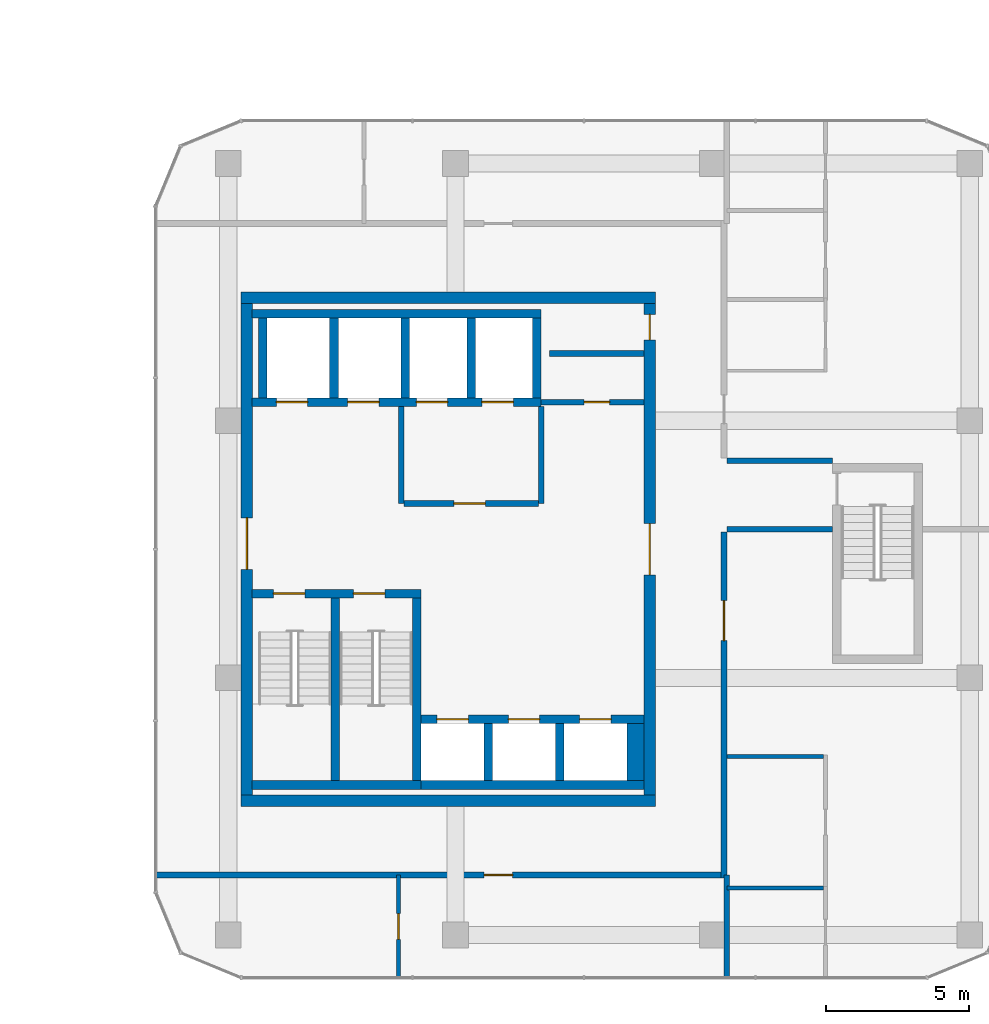
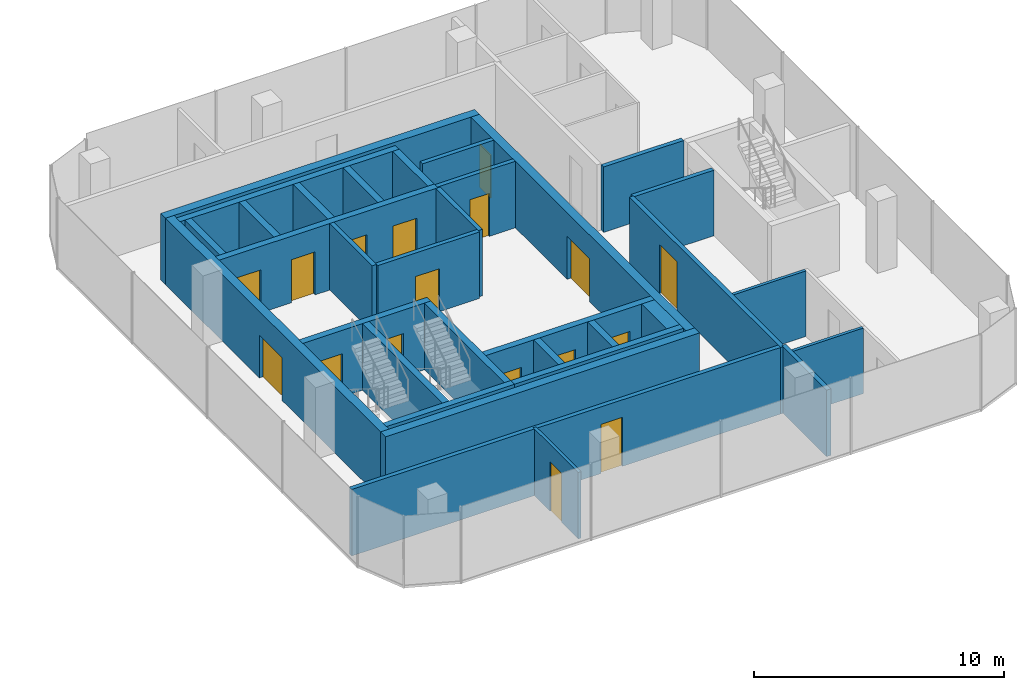
# One storey, part 17 of 22: 33 walls, 17 doors, 17 openings.
"""IFC4 building model written with IfcOpenShell, lengths in metres."""

from ifc_helpers import new_model, si_unit, direction, frame, frame_2d, origin, place, context, subcontext, project, spatial, rectangle, extrude, material, layer, layer_set, type_object, element, fill, save


model = new_model("IFC4")

# Units and contexts
model_context = context("Model", 3, precision=1e-05, world=origin(), true_north=direction((0.0, 1.0)))
body_context = subcontext(model_context, "Body", "Model", "MODEL_VIEW")
ifc_project = project(units=[si_unit("LENGTHUNIT", "METRE"), si_unit("AREAUNIT", "SQUARE_METRE"), si_unit("VOLUMEUNIT", "CUBIC_METRE"), si_unit("PLANEANGLEUNIT", "RADIAN"), si_unit("MASSUNIT", "GRAM", prefix="KILO")], contexts=[model_context])

# Site, building, storey
site_placement = place(None, origin())
site = spatial("IfcSite", under=ifc_project, at=site_placement, CompositionType="ELEMENT")
building_placement = place(site_placement, origin())
building = spatial("IfcBuilding", under=site, at=building_placement, Name="Plateau Cross Towers", CompositionType="ELEMENT")
storey_placement = place(building_placement, frame((0.0, 0.0, 113.300048828125)))
storey = spatial("IfcBuildingStorey", under=building, at=storey_placement, Name="L29", CompositionType="ELEMENT", Elevation=113.300048828125)

# Wall
ifc_material_1 = material(Name="Concrete block, plastered both sides", Category="concrete")
ifc_layer_1 = layer(ifc_material_1, 0.199951171875)
ifc_layer_set_1 = layer_set([ifc_layer_1], Name="Concrete block, plastered both sides")
wall_type_1 = type_object("IfcWallType", Name="Core partition 200", PredefinedType="PARTITIONING", material=ifc_layer_set_1)
wall_1_placement = place(storey_placement, frame((80.60009765625, 10.60009765625, 0.0), z_axis=(0.0, 0.0, 1.0), x_axis=(0.0, 1.0, 0.0)))
element("IfcWall", 1, at=wall_1_placement, inside=storey, type_object=wall_type_1, Name="Core partition", PredefinedType="PARTITIONING", context=body_context, shape_type="SweptSolid", body=[
    extrude(rectangle(XDim=3.39990234375, YDim=0.199951171875, at=frame_2d((1.699951171875, 0.0))), origin(), (0.0, 0.0, 1.0), 3.25),
])

# Wall, opening, door
wall_2_placement = place(storey_placement, frame((80.699951171875, 10.60009765625, 0.0), z_axis=(0.0, 0.0, 1.0), x_axis=(1.0, 0.0, 0.0)))
wall_2 = element("IfcWall", 2, at=wall_2_placement, inside=storey, type_object=wall_type_1, Name="Core partition", PredefinedType="PARTITIONING", context=body_context, shape_type="SweptSolid", body=[
    extrude(rectangle(XDim=4.699951171875, YDim=0.199951171875, at=frame_2d((2.35009765625, 0.0))), origin(), (0.0, 0.0, 1.0), 3.25),
])
opening_1_placement = place(wall_2_placement, frame((1.75, 0.0, 0.0)))
opening_1 = element("IfcOpeningElement", 3, at=opening_1_placement, cuts=wall_2, Name="Opening FFD", PredefinedType="OPENING", context=body_context, shape_type="SweptSolid", body=[
    extrude(rectangle(XDim=1.10009765625, YDim=2.10009765625, at=frame_2d((0.550048828125, 1.050048828125))), frame((0.0, 0.10986328125, 0.0), z_axis=(0.0, -1.0, 0.0), x_axis=(1.0, 0.0, 0.0)), (0.0, 0.0, 1.0), 0.219970703125),
])
ifc_material_2 = material(Name="Steel, fire-resisting leaf", Category="steel")
door_type_1 = type_object("IfcDoorType", Name="Firefighting lobby door 1100", OperationType="NOTDEFINED", PredefinedType="DOOR", material=ifc_material_2)
door_1_placement = place(opening_1_placement, origin())
door_1 = element("IfcDoor", 4, at=door_1_placement, inside=storey, type_object=door_type_1, Name="Firefighting lobby door FFD", OperationType="SINGLE_SWING_LEFT", OverallHeight=2.10009765625, OverallWidth=1.10009765625, PredefinedType="DOOR", context=body_context, shape_type="SweptSolid", body=[
    extrude(rectangle(XDim=1.10009765625, YDim=2.10009765625, at=frame_2d((0.550048828125, 1.050048828125))), frame((0.0, 0.02490234375, 0.0), z_axis=(0.0, -1.0, 0.0), x_axis=(1.0, 0.0, 0.0)), (0.0, 0.0, 1.0), 0.050048828125),
])
fill(opening_1, door_1)

# Wall
wall_3_placement = place(storey_placement, frame((85.5, 10.60009765625, 0.0), z_axis=(0.0, 0.0, 1.0), x_axis=(0.0, 1.0, 0.0)))
element("IfcWall", 5, at=wall_3_placement, inside=storey, type_object=wall_type_1, Name="Core partition", PredefinedType="PARTITIONING", context=body_context, shape_type="SweptSolid", body=[
    extrude(rectangle(XDim=3.39990234375, YDim=0.199951171875, at=frame_2d((1.699951171875, 0.0))), origin(), (0.0, 0.0, 1.0), 3.25),
])

# Wall, opening, door
wall_4_placement = place(storey_placement, frame((85.5, 14.14990234375, 0.0), z_axis=(0.0, 0.0, 1.0), x_axis=(1.0, 0.0, 0.0)))
wall_4 = element("IfcWall", 6, at=wall_4_placement, inside=storey, type_object=wall_type_1, Name="Core partition", PredefinedType="PARTITIONING", context=body_context, shape_type="SweptSolid", body=[
    extrude(rectangle(XDim=3.60009765625, YDim=0.199951171875, at=frame_2d((1.800048828125, 0.0))), origin(), (0.0, 0.0, 1.0), 3.25),
])
opening_2_placement = place(wall_4_placement, frame((1.5, 0.0, 0.0)))
opening_2 = element("IfcOpeningElement", 7, at=opening_2_placement, cuts=wall_4, Name="Opening RD2", PredefinedType="OPENING", context=body_context, shape_type="SweptSolid", body=[
    extrude(rectangle(XDim=0.89990234375, YDim=2.10009765625, at=frame_2d((0.449951171875, 1.050048828125))), frame((0.0, 0.10986328125, 0.0), z_axis=(0.0, -1.0, 0.0), x_axis=(1.0, 0.0, 0.0)), (0.0, 0.0, 1.0), 0.219970703125),
])
door_type_2 = type_object("IfcDoorType", Name="Core riser door 900", OperationType="NOTDEFINED", PredefinedType="DOOR", material=ifc_material_2)
door_2_placement = place(opening_2_placement, origin())
door_2 = element("IfcDoor", 8, at=door_2_placement, inside=storey, type_object=door_type_2, Name="Core riser door RD2", OperationType="SINGLE_SWING_LEFT", OverallHeight=2.10009765625, OverallWidth=0.89990234375, PredefinedType="DOOR", context=body_context, shape_type="SweptSolid", body=[
    extrude(rectangle(XDim=0.89990234375, YDim=2.10009765625, at=frame_2d((0.449951171875, 1.050048828125))), frame((0.0, 0.02490234375, 0.0), z_axis=(0.0, -1.0, 0.0), x_axis=(1.0, 0.0, 0.0)), (0.0, 0.0, 1.0), 0.050048828125),
])
fill(opening_2, door_2)

# Walls
wall_5_placement = place(storey_placement, frame((85.800048828125, 15.85009765625, 0.0), z_axis=(0.0, 0.0, 1.0), x_axis=(1.0, 0.0, 0.0)))
element("IfcWall", 9, at=wall_5_placement, inside=storey, type_object=wall_type_1, Name="Core partition", PredefinedType="PARTITIONING", context=body_context, shape_type="SweptSolid", body=[
    extrude(rectangle(XDim=3.300048828125, YDim=0.199951171875, at=frame_2d((1.64990234375, 0.0))), origin(), (0.0, 0.0, 1.0), 3.25),
])
ifc_material_3 = material(Name="Concrete C60/75", Category="concrete")
ifc_layer_2 = layer(ifc_material_3, 0.300048828125)
ifc_layer_set_2 = layer_set([ifc_layer_2], Name="Concrete C60/75")
wall_type_2 = type_object("IfcWallType", Name="Core shaft wall 300", PredefinedType="SHEAR", material=ifc_layer_set_2)
wall_6_placement = place(storey_placement, frame((75.3798828125, 0.75, 0.0), z_axis=(0.0, 0.0, 1.0), x_axis=(1.0, 0.0, 0.0)))
element("IfcWall", 10, at=wall_6_placement, inside=storey, type_object=wall_type_2, Name="B-sb-stS@L29", PredefinedType="SHEAR", context=body_context, shape_type="SweptSolid", body=[
    extrude(rectangle(XDim=5.920166015625, YDim=0.300048828125, at=frame_2d((2.9599609375, 0.0))), origin(), (0.0, 0.0, 1.0), 3.25),
])

# Wall, openings, doors
wall_7_placement = place(storey_placement, frame((75.3798828125, 7.449951171875, 0.0), z_axis=(0.0, 0.0, 1.0), x_axis=(1.0, 0.0, 0.0)))
wall_7 = element("IfcWall", 11, at=wall_7_placement, inside=storey, type_object=wall_type_2, Name="B-sb-stN@L29", PredefinedType="SHEAR", context=body_context, shape_type="SweptSolid", body=[
    extrude(rectangle(XDim=5.920166015625, YDim=0.300048828125, at=frame_2d((2.9599609375, 0.0))), origin(), (0.0, 0.0, 1.0), 3.25),
])
opening_3_placement = place(wall_7_placement, frame((0.75, 0.0, 0.0)))
opening_3 = element("IfcOpeningElement", 12, at=opening_3_placement, cuts=wall_7, Name="Opening SD", PredefinedType="OPENING", context=body_context, shape_type="SweptSolid", body=[
    extrude(rectangle(XDim=1.10009765625, YDim=2.10009765625, at=frame_2d((0.550048828125, 1.050048828125))), frame((0.0, 0.159912109375, 0.0), z_axis=(0.0, -1.0, 0.0), x_axis=(1.0, 0.0, 0.0)), (0.0, 0.0, 1.0), 0.320068359375),
])
opening_4_placement = place(wall_7_placement, frame((3.550048828125, 0.0, 0.0)))
opening_4 = element("IfcOpeningElement", 13, at=opening_4_placement, cuts=wall_7, Name="Opening SD", PredefinedType="OPENING", context=body_context, shape_type="SweptSolid", body=[
    extrude(rectangle(XDim=1.10009765625, YDim=2.10009765625, at=frame_2d((0.550048828125, 1.050048828125))), frame((0.0, 0.159912109375, 0.0), z_axis=(0.0, -1.0, 0.0), x_axis=(1.0, 0.0, 0.0)), (0.0, 0.0, 1.0), 0.320068359375),
])
door_type_3 = type_object("IfcDoorType", Name="Stair door 1100", OperationType="NOTDEFINED", PredefinedType="DOOR", material=ifc_material_2)
door_3_placement = place(opening_3_placement, origin())
door_3 = element("IfcDoor", 14, at=door_3_placement, inside=storey, type_object=door_type_3, Name="Stair door SD", OperationType="SINGLE_SWING_RIGHT", OverallHeight=2.10009765625, OverallWidth=1.10009765625, PredefinedType="DOOR", context=body_context, shape_type="SweptSolid", body=[
    extrude(rectangle(XDim=1.10009765625, YDim=2.10009765625, at=frame_2d((0.550048828125, 1.050048828125))), frame((0.0, 0.02490234375, 0.0), z_axis=(0.0, -1.0, 0.0), x_axis=(1.0, 0.0, 0.0)), (0.0, 0.0, 1.0), 0.050048828125),
])
fill(opening_3, door_3)
door_4_placement = place(opening_4_placement, origin())
door_4 = element("IfcDoor", 15, at=door_4_placement, inside=storey, type_object=door_type_3, Name="Stair door SD", OperationType="SINGLE_SWING_LEFT", OverallHeight=2.10009765625, OverallWidth=1.10009765625, PredefinedType="DOOR", context=body_context, shape_type="SweptSolid", body=[
    extrude(rectangle(XDim=1.10009765625, YDim=2.10009765625, at=frame_2d((0.550048828125, 1.050048828125))), frame((0.0, 0.02490234375, 0.0), z_axis=(0.0, -1.0, 0.0), x_axis=(1.0, 0.0, 0.0)), (0.0, 0.0, 1.0), 0.050048828125),
])
fill(opening_4, door_4)

# Walls
for number, where, z_axis, x_axis, name in (
    (16, (78.300048828125, 0.89990234375, 0.0), (0.0, 0.0, 1.0), (0.0, 1.0, 0.0), "B-sb-st1@L29"),
    (17, (81.14990234375, 0.89990234375, 0.0), (0.0, 0.0, 1.0), (0.0, 1.0, 0.0), "B-sb-st2@L29"),
):
    element("IfcWall", number, at=place(storey_placement, frame(where, z_axis=z_axis, x_axis=x_axis)), inside=storey, type_object=wall_type_2, Name=name, PredefinedType="SHEAR", context=body_context, shape_type="SweptSolid", body=[
        extrude(rectangle(XDim=6.400146484375, YDim=0.300048828125, at=frame_2d((3.2001953125, 0.0))), origin(), (0.0, 0.0, 1.0), 3.25),
    ])
wall_8_placement = place(storey_placement, frame((81.300048828125, 0.75, 0.0), z_axis=(0.0, 0.0, 1.0), x_axis=(1.0, 0.0, 0.0)))
element("IfcWall", 18, at=wall_8_placement, inside=storey, type_object=wall_type_2, Name="B-sb-back@L29", PredefinedType="SHEAR", context=body_context, shape_type="SweptSolid", body=[
    extrude(rectangle(XDim=7.800048828125, YDim=0.300048828125, at=frame_2d((3.89990234375, 0.0))), origin(), (0.0, 0.0, 1.0), 3.25),
])
for number, where, z_axis, x_axis, name in (
    (19, (83.64990234375, 0.89990234375, 0.0), (0.0, 0.0, 1.0), (0.0, 1.0, 0.0), "B-sb-v1@L29"),
    (20, (86.14990234375, 0.89990234375, 0.0), (0.0, 0.0, 1.0), (0.0, 1.0, 0.0), "B-sb-v2@L29"),
):
    element("IfcWall", number, at=place(storey_placement, frame(where, z_axis=z_axis, x_axis=x_axis)), inside=storey, type_object=wall_type_2, Name=name, PredefinedType="SHEAR", context=body_context, shape_type="SweptSolid", body=[
        extrude(rectangle(XDim=2.0, YDim=0.300048828125, at=frame_2d((1.0, 0.0))), origin(), (0.0, 0.0, 1.0), 3.25),
    ])

# Wall, openings, doors
wall_9_placement = place(storey_placement, frame((81.300048828125, 3.050048828125, 0.0), z_axis=(0.0, 0.0, 1.0), x_axis=(1.0, 0.0, 0.0)))
wall_9 = element("IfcWall", 21, at=wall_9_placement, inside=storey, type_object=wall_type_2, Name="B-sb-front@L29", PredefinedType="SHEAR", context=body_context, shape_type="SweptSolid", body=[
    extrude(rectangle(XDim=7.800048828125, YDim=0.300048828125, at=frame_2d((3.89990234375, 0.0))), origin(), (0.0, 0.0, 1.0), 3.25),
])
opening_5_placement = place(wall_9_placement, frame((0.550048828125, 0.0, 0.0)))
opening_5 = element("IfcOpeningElement", 22, at=opening_5_placement, cuts=wall_9, Name="Opening LD", PredefinedType="OPENING", context=body_context, shape_type="SweptSolid", body=[
    extrude(rectangle(XDim=1.10009765625, YDim=2.10009765625, at=frame_2d((0.550048828125, 1.050048828125))), frame((0.0, 0.159912109375, 0.0), z_axis=(0.0, -1.0, 0.0), x_axis=(1.0, 0.0, 0.0)), (0.0, 0.0, 1.0), 0.320068359375),
])
opening_6_placement = place(wall_9_placement, frame((3.050048828125, 0.0, 0.0)))
opening_6 = element("IfcOpeningElement", 23, at=opening_6_placement, cuts=wall_9, Name="Opening LD", PredefinedType="OPENING", context=body_context, shape_type="SweptSolid", body=[
    extrude(rectangle(XDim=1.10009765625, YDim=2.10009765625, at=frame_2d((0.550048828125, 1.050048828125))), frame((0.0, 0.159912109375, 0.0), z_axis=(0.0, -1.0, 0.0), x_axis=(1.0, 0.0, 0.0)), (0.0, 0.0, 1.0), 0.320068359375),
])
opening_7_placement = place(wall_9_placement, frame((5.550048828125, 0.0, 0.0)))
opening_7 = element("IfcOpeningElement", 24, at=opening_7_placement, cuts=wall_9, Name="Opening LD", PredefinedType="OPENING", context=body_context, shape_type="SweptSolid", body=[
    extrude(rectangle(XDim=1.10009765625, YDim=2.10009765625, at=frame_2d((0.550048828125, 1.050048828125))), frame((0.0, 0.159912109375, 0.0), z_axis=(0.0, -1.0, 0.0), x_axis=(1.0, 0.0, 0.0)), (0.0, 0.0, 1.0), 0.320068359375),
])
ifc_material_4 = material(Name="Stainless steel, fire-resisting sliding leaves", Category="steel")
door_type_4 = type_object("IfcDoorType", Name="Lift landing door 1100", OperationType="NOTDEFINED", PredefinedType="DOOR", material=ifc_material_4)
door_5_placement = place(opening_5_placement, origin())
door_5 = element("IfcDoor", 25, at=door_5_placement, inside=storey, type_object=door_type_4, Name="Lift landing door LD", OperationType="DOUBLE_DOOR_SLIDING", OverallHeight=2.10009765625, OverallWidth=1.10009765625, PredefinedType="DOOR", context=body_context, shape_type="SweptSolid", body=[
    extrude(rectangle(XDim=1.10009765625, YDim=2.10009765625, at=frame_2d((0.550048828125, 1.050048828125))), frame((0.0, 0.02490234375, 0.0), z_axis=(0.0, -1.0, 0.0), x_axis=(1.0, 0.0, 0.0)), (0.0, 0.0, 1.0), 0.050048828125),
])
fill(opening_5, door_5)
door_6_placement = place(opening_6_placement, origin())
door_6 = element("IfcDoor", 26, at=door_6_placement, inside=storey, type_object=door_type_4, Name="Lift landing door LD", OperationType="DOUBLE_DOOR_SLIDING", OverallHeight=2.10009765625, OverallWidth=1.10009765625, PredefinedType="DOOR", context=body_context, shape_type="SweptSolid", body=[
    extrude(rectangle(XDim=1.10009765625, YDim=2.10009765625, at=frame_2d((0.550048828125, 1.050048828125))), frame((0.0, 0.02490234375, 0.0), z_axis=(0.0, -1.0, 0.0), x_axis=(1.0, 0.0, 0.0)), (0.0, 0.0, 1.0), 0.050048828125),
])
fill(opening_6, door_6)
door_7_placement = place(opening_7_placement, origin())
door_7 = element("IfcDoor", 27, at=door_7_placement, inside=storey, type_object=door_type_4, Name="Lift landing door LD", OperationType="DOUBLE_DOOR_SLIDING", OverallHeight=2.10009765625, OverallWidth=1.10009765625, PredefinedType="DOOR", context=body_context, shape_type="SweptSolid", body=[
    extrude(rectangle(XDim=1.10009765625, YDim=2.10009765625, at=frame_2d((0.550048828125, 1.050048828125))), frame((0.0, 0.02490234375, 0.0), z_axis=(0.0, -1.0, 0.0), x_axis=(1.0, 0.0, 0.0)), (0.0, 0.0, 1.0), 0.050048828125),
])
fill(opening_7, door_7)

# Wall
wall_10_placement = place(storey_placement, frame((75.3798828125, 17.25, 0.0), z_axis=(0.0, 0.0, 1.0), x_axis=(1.0, 0.0, 0.0)))
element("IfcWall", 28, at=wall_10_placement, inside=storey, type_object=wall_type_2, Name="B-nb-back@L29", PredefinedType="SHEAR", context=body_context, shape_type="SweptSolid", body=[
    extrude(rectangle(XDim=10.1201171875, YDim=0.300048828125, at=frame_2d((5.06005859375, 0.0))), origin(), (0.0, 0.0, 1.0), 3.25),
])

# Wall, openings, doors
wall_11_placement = place(storey_placement, frame((75.3798828125, 14.14990234375, 0.0), z_axis=(0.0, 0.0, 1.0), x_axis=(1.0, 0.0, 0.0)))
wall_11 = element("IfcWall", 29, at=wall_11_placement, inside=storey, type_object=wall_type_2, Name="B-nb-front@L29", PredefinedType="SHEAR", context=body_context, shape_type="SweptSolid", body=[
    extrude(rectangle(XDim=10.1201171875, YDim=0.300048828125, at=frame_2d((5.06005859375, 0.0))), origin(), (0.0, 0.0, 1.0), 3.25),
])
opening_8_placement = place(wall_11_placement, frame((0.85009765625, 0.0, 0.0)))
opening_8 = element("IfcOpeningElement", 30, at=opening_8_placement, cuts=wall_11, Name="Opening LD", PredefinedType="OPENING", context=body_context, shape_type="SweptSolid", body=[
    extrude(rectangle(XDim=1.10009765625, YDim=2.10009765625, at=frame_2d((0.550048828125, 1.050048828125))), frame((0.0, 0.159912109375, 0.0), z_axis=(0.0, -1.0, 0.0), x_axis=(1.0, 0.0, 0.0)), (0.0, 0.0, 1.0), 0.320068359375),
])
opening_9_placement = place(wall_11_placement, frame((3.35009765625, 0.0, 0.0)))
opening_9 = element("IfcOpeningElement", 31, at=opening_9_placement, cuts=wall_11, Name="Opening LD", PredefinedType="OPENING", context=body_context, shape_type="SweptSolid", body=[
    extrude(rectangle(XDim=1.10009765625, YDim=2.10009765625, at=frame_2d((0.550048828125, 1.050048828125))), frame((0.0, 0.159912109375, 0.0), z_axis=(0.0, -1.0, 0.0), x_axis=(1.0, 0.0, 0.0)), (0.0, 0.0, 1.0), 0.320068359375),
])
opening_10_placement = place(wall_11_placement, frame((5.75, 0.0, 0.0)))
opening_10 = element("IfcOpeningElement", 32, at=opening_10_placement, cuts=wall_11, Name="Opening LD", PredefinedType="OPENING", context=body_context, shape_type="SweptSolid", body=[
    extrude(rectangle(XDim=1.10009765625, YDim=2.10009765625, at=frame_2d((0.550048828125, 1.050048828125))), frame((0.0, 0.159912109375, 0.0), z_axis=(0.0, -1.0, 0.0), x_axis=(1.0, 0.0, 0.0)), (0.0, 0.0, 1.0), 0.320068359375),
])
opening_11_placement = place(wall_11_placement, frame((8.050048828125, 0.0, 0.0)))
opening_11 = element("IfcOpeningElement", 33, at=opening_11_placement, cuts=wall_11, Name="Opening LD", PredefinedType="OPENING", context=body_context, shape_type="SweptSolid", body=[
    extrude(rectangle(XDim=1.10009765625, YDim=2.10009765625, at=frame_2d((0.550048828125, 1.050048828125))), frame((0.0, 0.159912109375, 0.0), z_axis=(0.0, -1.0, 0.0), x_axis=(1.0, 0.0, 0.0)), (0.0, 0.0, 1.0), 0.320068359375),
])
door_8_placement = place(opening_8_placement, origin())
door_8 = element("IfcDoor", 34, at=door_8_placement, inside=storey, type_object=door_type_4, Name="Lift landing door LD", OperationType="DOUBLE_DOOR_SLIDING", OverallHeight=2.10009765625, OverallWidth=1.10009765625, PredefinedType="DOOR", context=body_context, shape_type="SweptSolid", body=[
    extrude(rectangle(XDim=1.10009765625, YDim=2.10009765625, at=frame_2d((0.550048828125, 1.050048828125))), frame((0.0, 0.02490234375, 0.0), z_axis=(0.0, -1.0, 0.0), x_axis=(1.0, 0.0, 0.0)), (0.0, 0.0, 1.0), 0.050048828125),
])
fill(opening_8, door_8)
door_9_placement = place(opening_9_placement, origin())
door_9 = element("IfcDoor", 35, at=door_9_placement, inside=storey, type_object=door_type_4, Name="Lift landing door LD", OperationType="DOUBLE_DOOR_SLIDING", OverallHeight=2.10009765625, OverallWidth=1.10009765625, PredefinedType="DOOR", context=body_context, shape_type="SweptSolid", body=[
    extrude(rectangle(XDim=1.10009765625, YDim=2.10009765625, at=frame_2d((0.550048828125, 1.050048828125))), frame((0.0, 0.02490234375, 0.0), z_axis=(0.0, -1.0, 0.0), x_axis=(1.0, 0.0, 0.0)), (0.0, 0.0, 1.0), 0.050048828125),
])
fill(opening_9, door_9)
door_10_placement = place(opening_10_placement, origin())
door_10 = element("IfcDoor", 36, at=door_10_placement, inside=storey, type_object=door_type_4, Name="Lift landing door LD", OperationType="DOUBLE_DOOR_SLIDING", OverallHeight=2.10009765625, OverallWidth=1.10009765625, PredefinedType="DOOR", context=body_context, shape_type="SweptSolid", body=[
    extrude(rectangle(XDim=1.10009765625, YDim=2.10009765625, at=frame_2d((0.550048828125, 1.050048828125))), frame((0.0, 0.02490234375, 0.0), z_axis=(0.0, -1.0, 0.0), x_axis=(1.0, 0.0, 0.0)), (0.0, 0.0, 1.0), 0.050048828125),
])
fill(opening_10, door_10)
door_11_placement = place(opening_11_placement, origin())
door_11 = element("IfcDoor", 37, at=door_11_placement, inside=storey, type_object=door_type_4, Name="Lift landing door LD", OperationType="DOUBLE_DOOR_SLIDING", OverallHeight=2.10009765625, OverallWidth=1.10009765625, PredefinedType="DOOR", context=body_context, shape_type="SweptSolid", body=[
    extrude(rectangle(XDim=1.10009765625, YDim=2.10009765625, at=frame_2d((0.550048828125, 1.050048828125))), frame((0.0, 0.02490234375, 0.0), z_axis=(0.0, -1.0, 0.0), x_axis=(1.0, 0.0, 0.0)), (0.0, 0.0, 1.0), 0.050048828125),
])
fill(opening_11, door_11)

# Walls
for number, where, z_axis, x_axis, name in (
    (38, (75.75, 14.300048828125, 0.0), (0.0, 0.0, 1.0), (0.0, 1.0, 0.0), "B-nb-v0@L29"),
    (39, (78.25, 14.300048828125, 0.0), (0.0, 0.0, 1.0), (0.0, 1.0, 0.0), "B-nb-v1@L29"),
    (40, (80.75, 14.300048828125, 0.0), (0.0, 0.0, 1.0), (0.0, 1.0, 0.0), "B-nb-v2@L29"),
    (41, (83.050048828125, 14.300048828125, 0.0), (0.0, 0.0, 1.0), (0.0, 1.0, 0.0), "B-nb-v3@L29"),
    (42, (85.35009765625, 14.300048828125, 0.0), (0.0, 0.0, 1.0), (0.0, 1.0, 0.0), "B-nb-v4@L29"),
):
    element("IfcWall", number, at=place(storey_placement, frame(where, z_axis=z_axis, x_axis=x_axis)), inside=storey, type_object=wall_type_2, Name=name, PredefinedType="SHEAR", context=body_context, shape_type="SweptSolid", body=[
        extrude(rectangle(XDim=2.800048828125, YDim=0.300048828125, at=frame_2d((1.39990234375, 0.0))), origin(), (0.0, 0.0, 1.0), 3.25),
    ])
ifc_layer_3 = layer(ifc_material_3, 0.60009765625)
ifc_layer_set_3 = layer_set([ifc_layer_3], Name="Concrete C60/75")
wall_type_3 = type_object("IfcWallType", Name="Core shaft wall 600", PredefinedType="SHEAR", material=ifc_layer_set_3)
wall_12_placement = place(storey_placement, frame((88.800048828125, 0.89990234375, 0.0), z_axis=(0.0, 0.0, 1.0), x_axis=(0.0, 1.0, 0.0)))
element("IfcWall", 43, at=wall_12_placement, inside=storey, type_object=wall_type_3, Name="B-sb-v3@L29", PredefinedType="SHEAR", context=body_context, shape_type="SweptSolid", body=[
    extrude(rectangle(XDim=2.0, YDim=0.60009765625, at=frame_2d((1.0, 0.0))), origin(), (0.0, 0.0, 1.0), 3.25),
])
ifc_layer_4 = layer(ifc_material_3, 0.39990234375)
ifc_layer_set_4 = layer_set([ifc_layer_4], Name="Concrete C60/75")
wall_type_4 = type_object("IfcWallType", Name="Core shell wall 400", PredefinedType="SHEAR", material=ifc_layer_set_4)
for number, where, z_axis, x_axis, name in (
    (44, (75.0, 0.199951171875, 0.0), (0.0, 0.0, 1.0), (1.0, 0.0, 0.0), "B-core-S@L29"),
    (45, (75.0, 17.800048828125, 0.0), (0.0, 0.0, 1.0), (1.0, 0.0, 0.0), "B-core-N@L29"),
):
    element("IfcWall", number, at=place(storey_placement, frame(where, z_axis=z_axis, x_axis=x_axis)), inside=storey, type_object=wall_type_4, Name=name, PredefinedType="SHEAR", context=body_context, shape_type="SweptSolid", body=[
        extrude(rectangle(XDim=14.5, YDim=0.39990234375, at=frame_2d((7.25, 0.0))), origin(), (0.0, 0.0, 1.0), 3.25),
    ])

# Wall, opening, door
wall_13_placement = place(storey_placement, frame((75.199951171875, 0.39990234375, 0.0), z_axis=(0.0, 0.0, 1.0), x_axis=(0.0, 1.0, 0.0)))
wall_13 = element("IfcWall", 46, at=wall_13_placement, inside=storey, type_object=wall_type_4, Name="B-core-W@L29", PredefinedType="SHEAR", context=body_context, shape_type="SweptSolid", body=[
    extrude(rectangle(XDim=17.2001953125, YDim=0.39990234375, at=frame_2d((8.60009765625, 0.0))), origin(), (0.0, 0.0, 1.0), 3.25),
])
opening_12_placement = place(wall_13_placement, frame((7.89990234375, 0.0, 0.0)))
opening_12 = element("IfcOpeningElement", 47, at=opening_12_placement, cuts=wall_13, Name="Opening CD", PredefinedType="OPENING", context=body_context, shape_type="SweptSolid", body=[
    extrude(rectangle(XDim=1.800048828125, YDim=2.10009765625, at=frame_2d((0.89990234375, 1.050048828125))), frame((0.0, 0.2099609375, 0.0), z_axis=(0.0, -1.0, 0.0), x_axis=(1.0, 0.0, 0.0)), (0.0, 0.0, 1.0), 0.419921875),
])
ifc_material_5 = material(Name="Steel, fire-resisting leaves", Category="steel")
door_type_5 = type_object("IfcDoorType", Name="Corridor door pair 1800", OperationType="NOTDEFINED", PredefinedType="DOOR", material=ifc_material_5)
door_12_placement = place(opening_12_placement, origin())
door_12 = element("IfcDoor", 48, at=door_12_placement, inside=storey, type_object=door_type_5, Name="Corridor door pair CD", OperationType="DOUBLE_DOOR_SINGLE_SWING", OverallHeight=2.10009765625, OverallWidth=1.800048828125, PredefinedType="DOOR", context=body_context, shape_type="SweptSolid", body=[
    extrude(rectangle(XDim=1.800048828125, YDim=2.10009765625, at=frame_2d((0.89990234375, 1.050048828125))), frame((0.0, 0.02490234375, 0.0), z_axis=(0.0, -1.0, 0.0), x_axis=(1.0, 0.0, 0.0)), (0.0, 0.0, 1.0), 0.050048828125),
])
fill(opening_12, door_12)

# Wall, openings, doors
wall_14_placement = place(storey_placement, frame((89.300048828125, 0.39990234375, 0.0), z_axis=(0.0, 0.0, 1.0), x_axis=(0.0, 1.0, 0.0)))
wall_14 = element("IfcWall", 49, at=wall_14_placement, inside=storey, type_object=wall_type_4, Name="B-core-E@L29", PredefinedType="SHEAR", context=body_context, shape_type="SweptSolid", body=[
    extrude(rectangle(XDim=17.2001953125, YDim=0.39990234375, at=frame_2d((8.60009765625, 0.0))), origin(), (0.0, 0.0, 1.0), 3.25),
])
opening_13_placement = place(wall_14_placement, frame((7.699951171875, 0.0, 0.0)))
opening_13 = element("IfcOpeningElement", 50, at=opening_13_placement, cuts=wall_14, Name="Opening CD", PredefinedType="OPENING", context=body_context, shape_type="SweptSolid", body=[
    extrude(rectangle(XDim=1.800048828125, YDim=2.10009765625, at=frame_2d((0.89990234375, 1.050048828125))), frame((0.0, 0.2099609375, 0.0), z_axis=(0.0, -1.0, 0.0), x_axis=(1.0, 0.0, 0.0)), (0.0, 0.0, 1.0), 0.419921875),
])
opening_14_placement = place(wall_14_placement, frame((15.925048828125, 0.0, 0.0)))
opening_14 = element("IfcOpeningElement", 51, at=opening_14_placement, cuts=wall_14, Name="Opening RD2", PredefinedType="OPENING", context=body_context, shape_type="SweptSolid", body=[
    extrude(rectangle(XDim=0.89990234375, YDim=2.10009765625, at=frame_2d((0.449951171875, 1.050048828125))), frame((0.0, 0.2099609375, 0.0), z_axis=(0.0, -1.0, 0.0), x_axis=(1.0, 0.0, 0.0)), (0.0, 0.0, 1.0), 0.419921875),
])
door_13_placement = place(opening_14_placement, origin())
door_13 = element("IfcDoor", 52, at=door_13_placement, inside=storey, type_object=door_type_2, Name="Core riser door RD2", OperationType="SINGLE_SWING_LEFT", OverallHeight=2.10009765625, OverallWidth=0.89990234375, PredefinedType="DOOR", context=body_context, shape_type="SweptSolid", body=[
    extrude(rectangle(XDim=0.89990234375, YDim=2.10009765625, at=frame_2d((0.449951171875, 1.050048828125))), frame((0.0, 0.02490234375, 0.0), z_axis=(0.0, -1.0, 0.0), x_axis=(1.0, 0.0, 0.0)), (0.0, 0.0, 1.0), 0.050048828125),
])
fill(opening_14, door_13)
door_14_placement = place(opening_13_placement, origin())
door_14 = element("IfcDoor", 53, at=door_14_placement, inside=storey, type_object=door_type_5, Name="Corridor door pair CD", OperationType="DOUBLE_DOOR_SINGLE_SWING", OverallHeight=2.10009765625, OverallWidth=1.800048828125, PredefinedType="DOOR", context=body_context, shape_type="SweptSolid", body=[
    extrude(rectangle(XDim=1.800048828125, YDim=2.10009765625, at=frame_2d((0.89990234375, 1.050048828125))), frame((0.0, 0.02490234375, 0.0), z_axis=(0.0, -1.0, 0.0), x_axis=(1.0, 0.0, 0.0)), (0.0, 0.0, 1.0), 0.050048828125),
])
fill(opening_13, door_14)

# Wall, opening, door
ifc_material_6 = material(Name="Gypsum board on steel studs, two layers each side", Category="steel")
ifc_layer_5 = layer(ifc_material_6, 0.199951171875)
ifc_layer_set_5 = layer_set([ifc_layer_5], Name="Gypsum board on steel studs, two layers each side")
wall_type_5 = type_object("IfcWallType", Name="Corridor wall 200", PredefinedType="PARTITIONING", material=ifc_layer_set_5)
wall_15_placement = place(storey_placement, frame((72.0, -2.39990234375, 0.0), z_axis=(0.0, 0.0, 1.0), x_axis=(1.0, 0.0, 0.0)))
wall_15 = element("IfcWall", 54, at=wall_15_placement, inside=storey, type_object=wall_type_5, Name="Ring wall", PredefinedType="PARTITIONING", context=body_context, shape_type="SweptSolid", body=[
    extrude(rectangle(XDim=20.0, YDim=0.199951171875, at=frame_2d((10.0, 0.0))), origin(), (0.0, 0.0, 1.0), 3.25),
])
opening_15_placement = place(wall_15_placement, frame((11.5, 0.0, 0.0)))
opening_15 = element("IfcOpeningElement", 55, at=opening_15_placement, cuts=wall_15, Name="Opening D-BO10", PredefinedType="OPENING", context=body_context, shape_type="SweptSolid", body=[
    extrude(rectangle(XDim=1.0, YDim=2.39990234375, at=frame_2d((0.5, 1.199951171875))), frame((0.0, 0.10986328125, 0.0), z_axis=(0.0, -1.0, 0.0), x_axis=(1.0, 0.0, 0.0)), (0.0, 0.0, 1.0), 0.219970703125),
])
ifc_material_7 = material(Name="Fire-resisting glazed leaf in a steel frame", Category="steel")
door_type_6 = type_object("IfcDoorType", Name="Office glazed entrance leaf 1000x2400", OperationType="NOTDEFINED", PredefinedType="DOOR", material=ifc_material_7)
door_15_placement = place(opening_15_placement, origin())
door_15 = element("IfcDoor", 56, at=door_15_placement, inside=storey, type_object=door_type_6, Name="Door D-BO10", OperationType="SINGLE_SWING_LEFT", OverallHeight=2.39990234375, OverallWidth=1.0, PredefinedType="DOOR", context=body_context, shape_type="SweptSolid", body=[
    extrude(rectangle(XDim=1.0, YDim=2.39990234375, at=frame_2d((0.5, 1.199951171875))), frame((0.0, 0.02490234375, 0.0), z_axis=(0.0, -1.0, 0.0), x_axis=(1.0, 0.0, 0.0)), (0.0, 0.0, 1.0), 0.050048828125),
])
fill(opening_15, door_15)

wall_16_placement = place(storey_placement, frame((91.89990234375, -2.5, 0.0), z_axis=(0.0, 0.0, 1.0), x_axis=(0.0, 1.0, 0.0)))
wall_16 = element("IfcWall", 57, at=wall_16_placement, inside=storey, type_object=wall_type_5, Name="Ring wall", PredefinedType="PARTITIONING", context=body_context, shape_type="SweptSolid", body=[
    extrude(rectangle(XDim=12.10009765625, YDim=0.199951171875, at=frame_2d((6.050048828125, 0.0))), origin(), (0.0, 0.0, 1.0), 3.25),
])
opening_16_placement = place(wall_16_placement, frame((8.300048828125, 0.0, 0.0)))
opening_16 = element("IfcOpeningElement", 58, at=opening_16_placement, cuts=wall_16, Name="Opening D-BE14", PredefinedType="OPENING", context=body_context, shape_type="SweptSolid", body=[
    extrude(rectangle(XDim=1.39990234375, YDim=2.39990234375, at=frame_2d((0.699951171875, 1.199951171875))), frame((0.0, 0.10986328125, 0.0), z_axis=(0.0, -1.0, 0.0), x_axis=(1.0, 0.0, 0.0)), (0.0, 0.0, 1.0), 0.219970703125),
])
ifc_material_8 = material(Name="Timber, fire-resisting leaves", Category="wood")
door_type_7 = type_object("IfcDoorType", Name="Tenant entrance double-leaf 1400x2400", OperationType="NOTDEFINED", PredefinedType="DOOR", material=ifc_material_8)
door_16_placement = place(opening_16_placement, origin())
door_16 = element("IfcDoor", 59, at=door_16_placement, inside=storey, type_object=door_type_7, Name="Door D-BE14", OperationType="DOUBLE_DOOR_SINGLE_SWING", OverallHeight=2.39990234375, OverallWidth=1.39990234375, PredefinedType="DOOR", context=body_context, shape_type="SweptSolid", body=[
    extrude(rectangle(XDim=1.39990234375, YDim=2.39990234375, at=frame_2d((0.699951171875, 1.199951171875))), frame((0.0, 0.02490234375, 0.0), z_axis=(0.0, -1.0, 0.0), x_axis=(1.0, 0.0, 0.0)), (0.0, 0.0, 1.0), 0.050048828125),
])
fill(opening_16, door_16)

# Walls
for number, where, z_axis, x_axis, name in (
    (60, (92.0, 9.699951171875, 0.0), (0.0, 0.0, 1.0), (1.0, 0.0, 0.0), "Ring wall"),
    (61, (92.0, 12.10009765625, 0.0), (0.0, 0.0, 1.0), (1.0, 0.0, 0.0), "Ring wall"),
):
    element("IfcWall", number, at=place(storey_placement, frame(where, z_axis=z_axis, x_axis=x_axis)), inside=storey, type_object=wall_type_5, Name=name, PredefinedType="PARTITIONING", context=body_context, shape_type="SweptSolid", body=[
        extrude(rectangle(XDim=3.699951171875, YDim=0.199951171875, at=frame_2d((1.85009765625, 0.0))), origin(), (0.0, 0.0, 1.0), 3.199951171875),
    ])

# Wall, opening, door
ifc_material_9 = material(Name="Gypsum board on staggered steel studs, mineral wool, two layers each side", Category="steel")
ifc_layer_6 = layer(ifc_material_9, 0.139892578125)
ifc_layer_set_6 = layer_set([ifc_layer_6], Name="Gypsum board on staggered steel studs, mineral wool, two layers each side")
wall_type_6 = type_object("IfcWallType", Name="Meeting room acoustic partition 140", PredefinedType="PARTITIONING", material=ifc_layer_set_6)
wall_17_placement = place(storey_placement, frame((80.5, -6.0, 0.0), z_axis=(0.0, 0.0, 1.0), x_axis=(0.0, 1.0, 0.0)))
wall_17 = element("IfcWall", 62, at=wall_17_placement, inside=storey, type_object=wall_type_6, Name="Acoustic wall", PredefinedType="PARTITIONING", context=body_context, shape_type="SweptSolid", body=[
    extrude(rectangle(XDim=3.60009765625, YDim=0.139892578125, at=frame_2d((1.800048828125, 0.0))), origin(), (0.0, 0.0, 1.0), 3.25),
])
opening_17_placement = place(wall_17_placement, frame((1.35009765625, 0.0, 0.0)))
opening_17 = element("IfcOpeningElement", 63, at=opening_17_placement, cuts=wall_17, Name="Opening D-BM9", PredefinedType="OPENING", context=body_context, shape_type="SweptSolid", body=[
    extrude(rectangle(XDim=0.89990234375, YDim=2.39990234375, at=frame_2d((0.449951171875, 1.199951171875))), frame((0.0, 0.079833984375, 0.0), z_axis=(0.0, -1.0, 0.0), x_axis=(1.0, 0.0, 0.0)), (0.0, 0.0, 1.0), 0.159912109375),
])
ifc_material_10 = material(Name="Timber leaf, full height", Category="wood")
door_type_8 = type_object("IfcDoorType", Name="Meeting room door 900x2400", OperationType="NOTDEFINED", PredefinedType="DOOR", material=ifc_material_10)
door_17_placement = place(opening_17_placement, origin())
door_17 = element("IfcDoor", 64, at=door_17_placement, inside=storey, type_object=door_type_8, Name="Door D-BM9", OperationType="SINGLE_SWING_LEFT", OverallHeight=2.39990234375, OverallWidth=0.89990234375, PredefinedType="DOOR", context=body_context, shape_type="SweptSolid", body=[
    extrude(rectangle(XDim=0.89990234375, YDim=2.39990234375, at=frame_2d((0.449951171875, 1.199951171875))), frame((0.0, 0.02490234375, 0.0), z_axis=(0.0, -1.0, 0.0), x_axis=(1.0, 0.0, 0.0)), (0.0, 0.0, 1.0), 0.050048828125),
])
fill(opening_17, door_17)

# Walls
for number, where, z_axis, x_axis, name in (
    (65, (92.0, -2.85009765625, 0.0), (0.0, 0.0, 1.0), (1.0, 0.0, 0.0), "Acoustic wall"),
    (66, (92.0, 1.75, 0.0), (0.0, 0.0, 1.0), (1.0, 0.0, 0.0), "Acoustic wall"),
):
    element("IfcWall", number, at=place(storey_placement, frame(where, z_axis=z_axis, x_axis=x_axis)), inside=storey, type_object=wall_type_6, Name=name, PredefinedType="PARTITIONING", context=body_context, shape_type="SweptSolid", body=[
        extrude(rectangle(XDim=3.3798828125, YDim=0.139892578125, at=frame_2d((1.68994140625, 0.0))), origin(), (0.0, 0.0, 1.0), 3.199951171875),
    ])
ifc_layer_7 = layer(ifc_material_6, 0.199951171875)
ifc_layer_set_7 = layer_set([ifc_layer_7], Name="Gypsum board on steel studs, two layers each side")
wall_type_7 = type_object("IfcWallType", Name="Tenancy demising wall 200", PredefinedType="PARTITIONING", material=ifc_layer_set_7)
wall_18_placement = place(storey_placement, frame((92.0, -6.0, 0.0), z_axis=(0.0, 0.0, 1.0), x_axis=(0.0, 1.0, 0.0)))
element("IfcWall", 67, at=wall_18_placement, inside=storey, type_object=wall_type_7, Name="Demising wall", PredefinedType="PARTITIONING", context=body_context, shape_type="SweptSolid", body=[
    extrude(rectangle(XDim=3.60009765625, YDim=0.199951171875, at=frame_2d((1.800048828125, 0.0))), origin(), (0.0, 0.0, 1.0), 3.25),
])

save(model, "model.ifc")
